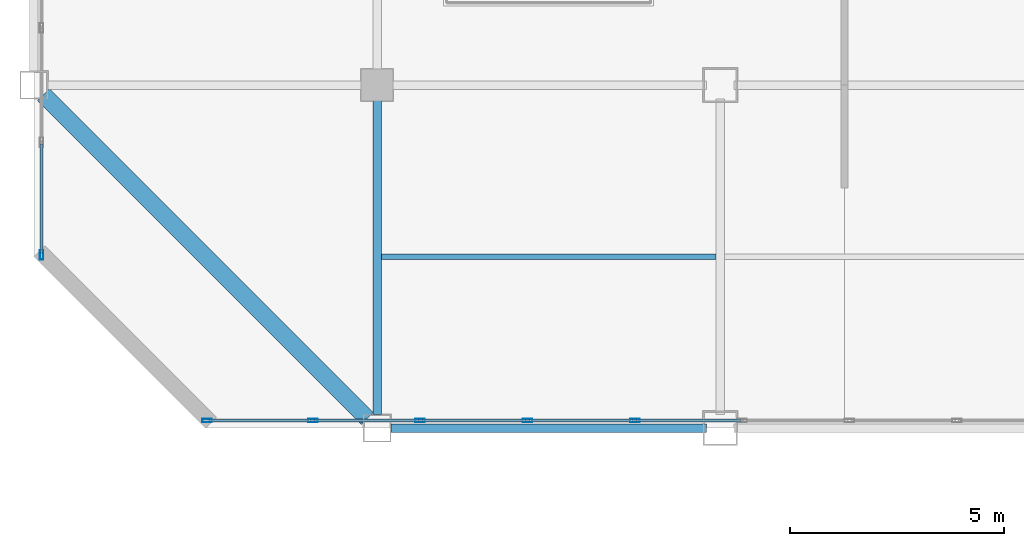
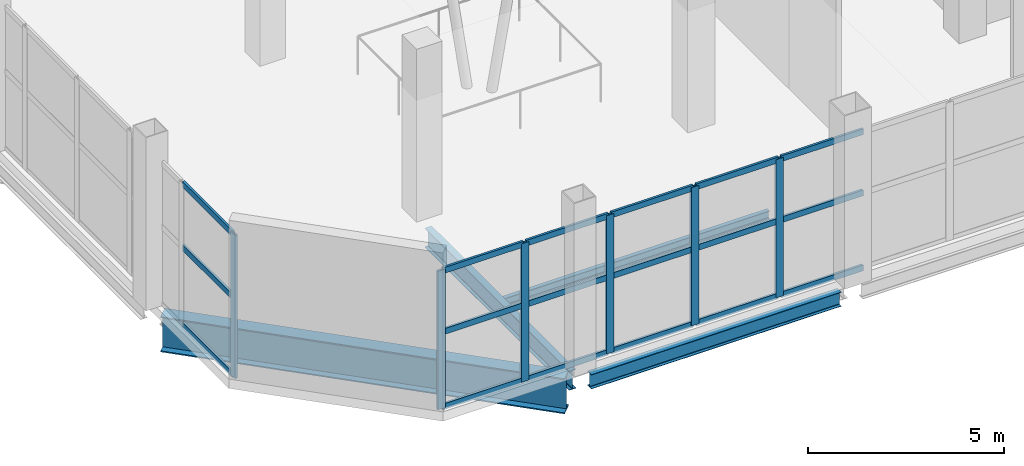
# One storey, part 2 of 16: 24 members, 4 beams, 2 elements without a shape of their own.
"""IFC4 building model written with IfcOpenShell, lengths in metres."""

from ifc_helpers import new_model, si_unit, direction, frame, origin, origin_2d, place, context, subcontext, project, spatial, hollow_rectangle, i_section, extrude, material, layer, layer_set, material_profile, profile_set, type_object, element, aggregate, save


model = new_model("IFC4")

# Units and contexts
model_context = context("Model", 3, precision=1e-05, world=origin(), true_north=direction((0.0, 1.0)))
body_context = subcontext(model_context, "Body", "Model", "MODEL_VIEW")
ifc_project = project(units=[si_unit("LENGTHUNIT", "METRE"), si_unit("AREAUNIT", "SQUARE_METRE"), si_unit("VOLUMEUNIT", "CUBIC_METRE"), si_unit("PLANEANGLEUNIT", "RADIAN"), si_unit("MASSUNIT", "GRAM", prefix="KILO")], contexts=[model_context])

# Site, building, storey
site_placement = place(None, origin())
site = spatial("IfcSite", under=ifc_project, at=site_placement, CompositionType="ELEMENT")
building_placement = place(site_placement, origin())
building = spatial("IfcBuilding", under=site, at=building_placement, Name="Qianrong Seaharbour Tower", CompositionType="ELEMENT")
storey_placement = place(building_placement, frame((0.0, 0.0, 378.39990234375)))
storey = spatial("IfcBuildingStorey", under=building, at=storey_placement, Name="L91", CompositionType="ELEMENT", Elevation=378.39990234375)

# Beams
ifc_material_1 = material(Name="Structural steel SN490B", Category="steel")
ifc_material_profile_1 = material_profile(ifc_material_1, i_section(OverallWidth=0.199951171875, OverallDepth=0.60009765625, WebThickness=0.010986328125, FlangeThickness=0.01708984375, FilletRadius=0.02197265625, at=origin_2d()), Name="H600x200x11x17")
ifc_profile_set_1 = profile_set([ifc_material_profile_1], Name="Structural steel SN490B")
beam_type_1 = type_object("IfcBeamType", Name="BM-G-600", PredefinedType="BEAM", material=ifc_profile_set_1)
beam_1_placement = place(storey_placement, frame((24.5, 28.320068359375, -0.58984375), z_axis=(0.0, 1.0, 0.0), x_axis=(-1.0, 0.0, 0.0)))
element("IfcBeam", 1, at=beam_1_placement, inside=storey, type_object=beam_type_1, Name="L91 Primary Girder G4 GE-GF", PredefinedType="BEAM", context=body_context, shape_type="SweptSolid", body=[
    extrude(i_section(OverallWidth=0.199951171875, OverallDepth=0.60009765625, WebThickness=0.010986328125, FlangeThickness=0.01708984375, FilletRadius=0.02197265625, at=origin_2d()), origin(), (0.0, 0.0, 1.0), 7.35986328125),
])
ifc_material_2 = material(Name="Structural steel SN400B", Category="steel")
ifc_material_profile_2 = material_profile(ifc_material_2, i_section(OverallWidth=0.125, OverallDepth=0.25, WebThickness=0.006103515625, FlangeThickness=0.009033203125, FilletRadius=0.011962890625, at=origin_2d()), Name="H250x125x6x9")
ifc_profile_set_2 = profile_set([ifc_material_profile_2], Name="Structural steel SN400B")
beam_type_2 = type_object("IfcBeamType", Name="BM-J-250", PredefinedType="JOIST", material=ifc_profile_set_2)
beam_2_placement = place(storey_placement, frame((24.60009765625, 32.0, -0.414794921875), z_axis=(1.0, 0.0, 0.0), x_axis=(0.0, 1.0, 0.0)))
element("IfcBeam", 2, at=beam_2_placement, inside=storey, type_object=beam_type_2, Name="L91 Composite Floor Joist G4-G5/GE-GF", PredefinedType="JOIST", context=body_context, shape_type="SweptSolid", body=[
    extrude(i_section(OverallWidth=0.125, OverallDepth=0.25, WebThickness=0.006103515625, FlangeThickness=0.009033203125, FilletRadius=0.011962890625, at=origin_2d()), origin(), (0.0, 0.0, 1.0), 7.7998046875),
])
ifc_material_profile_3 = material_profile(ifc_material_2, i_section(OverallWidth=0.199951171875, OverallDepth=0.449951171875, WebThickness=0.009033203125, FlangeThickness=0.013916015625, FilletRadius=0.01806640625, at=origin_2d()), Name="H450x200x9x14")
ifc_profile_set_3 = profile_set([ifc_material_profile_3], Name="Structural steel SN400B")
beam_type_3 = type_object("IfcBeamType", Name="BM-SP-450", PredefinedType="SPANDREL", material=ifc_profile_set_3)
beam_3_placement = place(storey_placement, frame((24.820068359375, 28.0, -0.514892578125), z_axis=(1.0, 0.0, 0.0), x_axis=(0.0, 1.0, 0.0)))
element("IfcBeam", 3, at=beam_3_placement, inside=storey, type_object=beam_type_3, Name="L91 Spandrel Girder GE G4-G5", PredefinedType="SPANDREL", context=body_context, shape_type="SweptSolid", body=[
    extrude(i_section(OverallWidth=0.199951171875, OverallDepth=0.449951171875, WebThickness=0.009033203125, FlangeThickness=0.013916015625, FilletRadius=0.01806640625, at=origin_2d()), origin(), (0.0, 0.0, 1.0), 7.35986328125),
])
ifc_material_profile_4 = material_profile(ifc_material_1, i_section(OverallWidth=0.39990234375, OverallDepth=1.10009765625, WebThickness=0.02001953125, FlangeThickness=0.035888671875, at=origin_2d()), Name="BH1100x400x20x36")
ifc_profile_set_4 = profile_set([ifc_material_profile_4], Name="Structural steel SN490B")
beam_type_4 = type_object("IfcBeamType", Name="BM-TG-1100", PredefinedType="BEAM", material=ifc_profile_set_4)
beam_4_placement = place(storey_placement, frame((24.273681640625, 28.226318359375, -0.83984375), z_axis=(-0.707106781187, 0.707106781187, 0.0), x_axis=(-0.707106781187, -0.707106781187, 0.0)))
element("IfcBeam", 4, at=beam_4_placement, inside=storey, type_object=beam_type_4, Name="L91 Chamfer Corner Spandrel Girder G3/GE", PredefinedType="BEAM", context=body_context, shape_type="SweptSolid", body=[
    extrude(i_section(OverallWidth=0.39990234375, OverallDepth=1.10009765625, WebThickness=0.02001953125, FlangeThickness=0.035888671875, at=origin_2d()), origin(), (0.0, 0.0, 1.0), 10.673583984375),
])

# Curtain wall, members
ifc_material_3 = material(Name="Anodised aluminium 6063-T6 and laminated low-e glass", Category="aluminium")
ifc_layer = layer(ifc_material_3, 0.239990234375)
ifc_layer_set = layer_set([ifc_layer], Name="Anodised aluminium 6063-T6 and laminated low-e glass")
curtain_wall_type = type_object("IfcCurtainWallType", Name="CW-SYS-6", PredefinedType="NOTDEFINED", material=ifc_layer_set)
curtain_wall_1_placement = place(storey_placement, origin())
curtain_wall_1 = element("IfcCurtainWall", 5, at=curtain_wall_1_placement, inside=storey, type_object=curtain_wall_type, Name="L91 TMD Exhibition Lantern Translucent Curtain Wall HARBOUR_RIBBON", PredefinedType="NOTDEFINED")
ifc_material_4 = material(Name="Extruded aluminium 6063-T6", Category="aluminium")
ifc_material_profile_5 = material_profile(ifc_material_4, hollow_rectangle(XDim=0.080078125, YDim=0.219970703125, WallThickness=0.0048828125, at=origin_2d()), Name="ALU-MUL-220x80x5")
ifc_profile_set_5 = profile_set([ifc_material_profile_5], Name="Extruded aluminium 6063-T6")
member_type_1 = type_object("IfcMemberType", Name="CW-MUL-220", PredefinedType="MULLION", material=ifc_profile_set_5)
member_1_placement = place(storey_placement, frame((30.510009765625, 28.179931640625, 0.0), z_axis=(0.0, 0.0, 1.0), x_axis=(0.0, -1.0, 0.0)))
member_1 = element("IfcMember", 6, at=member_1_placement, type_object=member_type_1, Name="CW-6 mullion 5", PredefinedType="MULLION", context=body_context, shape_type="SweptSolid", body=[
    extrude(hollow_rectangle(XDim=0.080078125, YDim=0.219970703125, WallThickness=0.0048828125, at=origin_2d()), origin(), (0.0, 0.0, 1.0), 4.31005859375),
])
member_2_placement = place(storey_placement, frame((28.007568359375, 28.179931640625, 0.0), z_axis=(0.0, 0.0, 1.0), x_axis=(0.0, -1.0, 0.0)))
member_2 = element("IfcMember", 7, at=member_2_placement, type_object=member_type_1, Name="CW-6 mullion 6", PredefinedType="MULLION", context=body_context, shape_type="SweptSolid", body=[
    extrude(hollow_rectangle(XDim=0.080078125, YDim=0.219970703125, WallThickness=0.0048828125, at=origin_2d()), origin(), (0.0, 0.0, 1.0), 4.31005859375),
])
member_3_placement = place(storey_placement, frame((25.5048828125, 28.179931640625, 0.0), z_axis=(0.0, 0.0, 1.0), x_axis=(0.0, -1.0, 0.0)))
member_3 = element("IfcMember", 8, at=member_3_placement, type_object=member_type_1, Name="CW-6 mullion 7", PredefinedType="MULLION", context=body_context, shape_type="SweptSolid", body=[
    extrude(hollow_rectangle(XDim=0.080078125, YDim=0.219970703125, WallThickness=0.0048828125, at=origin_2d()), origin(), (0.0, 0.0, 1.0), 4.31005859375),
])
member_4_placement = place(storey_placement, frame((23.00244140625, 28.179931640625, 0.0), z_axis=(0.0, 0.0, 1.0), x_axis=(0.0, -1.0, 0.0)))
member_4 = element("IfcMember", 9, at=member_4_placement, type_object=member_type_1, Name="CW-6 mullion 8", PredefinedType="MULLION", context=body_context, shape_type="SweptSolid", body=[
    extrude(hollow_rectangle(XDim=0.080078125, YDim=0.219970703125, WallThickness=0.0048828125, at=origin_2d()), origin(), (0.0, 0.0, 1.0), 4.31005859375),
])
member_5_placement = place(storey_placement, frame((20.5400390625, 28.179931640625, 0.0), z_axis=(0.0, 0.0, 1.0), x_axis=(0.0, -1.0, 0.0)))
member_5 = element("IfcMember", 10, at=member_5_placement, type_object=member_type_1, Name="CW-6 mullion 9", PredefinedType="MULLION", context=body_context, shape_type="SweptSolid", body=[
    extrude(hollow_rectangle(XDim=0.080078125, YDim=0.219970703125, WallThickness=0.0048828125, at=origin_2d()), origin(), (0.0, 0.0, 1.0), 4.31005859375),
])

# Curtain wall, member
curtain_wall_2_placement = place(storey_placement, origin())
curtain_wall_2 = element("IfcCurtainWall", 11, at=curtain_wall_2_placement, inside=storey, type_object=curtain_wall_type, Name="L91 TMD Exhibition Lantern Translucent Curtain Wall WEST_TIP", PredefinedType="NOTDEFINED")
member_6_placement = place(storey_placement, frame((16.679931640625, 32.0400390625, 0.0), z_axis=(0.0, 0.0, 1.0), x_axis=(-1.0, 0.0, 0.0)))
member_6 = element("IfcMember", 12, at=member_6_placement, type_object=member_type_1, Name="CW-6 mullion 1", PredefinedType="MULLION", context=body_context, shape_type="SweptSolid", body=[
    extrude(hollow_rectangle(XDim=0.080078125, YDim=0.219970703125, WallThickness=0.0048828125, at=origin_2d()), origin(), (0.0, 0.0, 1.0), 4.460205078125),
])

# Member
ifc_material_profile_6 = material_profile(ifc_material_4, hollow_rectangle(XDim=0.070068359375, YDim=0.179931640625, WallThickness=0.00390625, at=origin_2d()), Name="ALU-TRN-180x70x4")
ifc_profile_set_6 = profile_set([ifc_material_profile_6], Name="Extruded aluminium 6063-T6")
member_type_2 = type_object("IfcMemberType", Name="CW-TRN-180", PredefinedType="USERDEFINED", material=ifc_profile_set_6)
member_7_placement = place(storey_placement, frame((32.972412109375, 28.179931640625, 0.03515625), z_axis=(-1.0, 0.0, 0.0), x_axis=(0.0, -1.0, 0.0)))
member_7 = element("IfcMember", 13, at=member_7_placement, type_object=member_type_2, Name="CW-6 transom 4.1", ObjectType="TRANSOM", PredefinedType="USERDEFINED", context=body_context, shape_type="SweptSolid", body=[
    extrude(hollow_rectangle(XDim=0.070068359375, YDim=0.179931640625, WallThickness=0.00390625, at=origin_2d()), origin(), (0.0, 0.0, 1.0), 2.42236328125),
])

member_8_placement = place(storey_placement, frame((32.972412109375, 28.179931640625, 2.37060546875), z_axis=(-1.0, 0.0, 0.0), x_axis=(0.0, -1.0, 0.0)))
member_8 = element("IfcMember", 14, at=member_8_placement, type_object=member_type_2, Name="CW-6 transom 4.2", ObjectType="TRANSOM", PredefinedType="USERDEFINED", context=body_context, shape_type="SweptSolid", body=[
    extrude(hollow_rectangle(XDim=0.070068359375, YDim=0.179931640625, WallThickness=0.00390625, at=origin_2d()), origin(), (0.0, 0.0, 1.0), 2.42236328125),
])

member_9_placement = place(storey_placement, frame((32.972412109375, 28.179931640625, 4.275146484375), z_axis=(-1.0, 0.0, 0.0), x_axis=(0.0, -1.0, 0.0)))
member_9 = element("IfcMember", 15, at=member_9_placement, type_object=member_type_2, Name="CW-6 transom 4.3", ObjectType="TRANSOM", PredefinedType="USERDEFINED", context=body_context, shape_type="SweptSolid", body=[
    extrude(hollow_rectangle(XDim=0.070068359375, YDim=0.179931640625, WallThickness=0.00390625, at=origin_2d()), origin(), (0.0, 0.0, 1.0), 2.42236328125),
])

member_10_placement = place(storey_placement, frame((30.469970703125, 28.179931640625, 0.03515625), z_axis=(-1.0, 0.0, 0.0), x_axis=(0.0, -1.0, 0.0)))
member_10 = element("IfcMember", 16, at=member_10_placement, type_object=member_type_2, Name="CW-6 transom 5.1", ObjectType="TRANSOM", PredefinedType="USERDEFINED", context=body_context, shape_type="SweptSolid", body=[
    extrude(hollow_rectangle(XDim=0.070068359375, YDim=0.179931640625, WallThickness=0.00390625, at=origin_2d()), origin(), (0.0, 0.0, 1.0), 2.42236328125),
])

member_11_placement = place(storey_placement, frame((30.469970703125, 28.179931640625, 2.37060546875), z_axis=(-1.0, 0.0, 0.0), x_axis=(0.0, -1.0, 0.0)))
member_11 = element("IfcMember", 17, at=member_11_placement, type_object=member_type_2, Name="CW-6 transom 5.2", ObjectType="TRANSOM", PredefinedType="USERDEFINED", context=body_context, shape_type="SweptSolid", body=[
    extrude(hollow_rectangle(XDim=0.070068359375, YDim=0.179931640625, WallThickness=0.00390625, at=origin_2d()), origin(), (0.0, 0.0, 1.0), 2.42236328125),
])

member_12_placement = place(storey_placement, frame((30.469970703125, 28.179931640625, 4.275146484375), z_axis=(-1.0, 0.0, 0.0), x_axis=(0.0, -1.0, 0.0)))
member_12 = element("IfcMember", 18, at=member_12_placement, type_object=member_type_2, Name="CW-6 transom 5.3", ObjectType="TRANSOM", PredefinedType="USERDEFINED", context=body_context, shape_type="SweptSolid", body=[
    extrude(hollow_rectangle(XDim=0.070068359375, YDim=0.179931640625, WallThickness=0.00390625, at=origin_2d()), origin(), (0.0, 0.0, 1.0), 2.42236328125),
])

member_13_placement = place(storey_placement, frame((27.967529296875, 28.179931640625, 0.03515625), z_axis=(-1.0, 0.0, 0.0), x_axis=(0.0, -1.0, 0.0)))
member_13 = element("IfcMember", 19, at=member_13_placement, type_object=member_type_2, Name="CW-6 transom 6.1", ObjectType="TRANSOM", PredefinedType="USERDEFINED", context=body_context, shape_type="SweptSolid", body=[
    extrude(hollow_rectangle(XDim=0.070068359375, YDim=0.179931640625, WallThickness=0.00390625, at=origin_2d()), origin(), (0.0, 0.0, 1.0), 2.422607421875),
])

member_14_placement = place(storey_placement, frame((27.967529296875, 28.179931640625, 2.37060546875), z_axis=(-1.0, 0.0, 0.0), x_axis=(0.0, -1.0, 0.0)))
member_14 = element("IfcMember", 20, at=member_14_placement, type_object=member_type_2, Name="CW-6 transom 6.2", ObjectType="TRANSOM", PredefinedType="USERDEFINED", context=body_context, shape_type="SweptSolid", body=[
    extrude(hollow_rectangle(XDim=0.070068359375, YDim=0.179931640625, WallThickness=0.00390625, at=origin_2d()), origin(), (0.0, 0.0, 1.0), 2.422607421875),
])

member_15_placement = place(storey_placement, frame((27.967529296875, 28.179931640625, 4.275146484375), z_axis=(-1.0, 0.0, 0.0), x_axis=(0.0, -1.0, 0.0)))
member_15 = element("IfcMember", 21, at=member_15_placement, type_object=member_type_2, Name="CW-6 transom 6.3", ObjectType="TRANSOM", PredefinedType="USERDEFINED", context=body_context, shape_type="SweptSolid", body=[
    extrude(hollow_rectangle(XDim=0.070068359375, YDim=0.179931640625, WallThickness=0.00390625, at=origin_2d()), origin(), (0.0, 0.0, 1.0), 2.422607421875),
])

member_16_placement = place(storey_placement, frame((25.465087890625, 28.179931640625, 0.03515625), z_axis=(-1.0, 0.0, 0.0), x_axis=(0.0, -1.0, 0.0)))
member_16 = element("IfcMember", 22, at=member_16_placement, type_object=member_type_2, Name="CW-6 transom 7.1", ObjectType="TRANSOM", PredefinedType="USERDEFINED", context=body_context, shape_type="SweptSolid", body=[
    extrude(hollow_rectangle(XDim=0.070068359375, YDim=0.179931640625, WallThickness=0.00390625, at=origin_2d()), origin(), (0.0, 0.0, 1.0), 2.422607421875),
])

member_17_placement = place(storey_placement, frame((25.465087890625, 28.179931640625, 2.37060546875), z_axis=(-1.0, 0.0, 0.0), x_axis=(0.0, -1.0, 0.0)))
member_17 = element("IfcMember", 23, at=member_17_placement, type_object=member_type_2, Name="CW-6 transom 7.2", ObjectType="TRANSOM", PredefinedType="USERDEFINED", context=body_context, shape_type="SweptSolid", body=[
    extrude(hollow_rectangle(XDim=0.070068359375, YDim=0.179931640625, WallThickness=0.00390625, at=origin_2d()), origin(), (0.0, 0.0, 1.0), 2.422607421875),
])

member_18_placement = place(storey_placement, frame((25.465087890625, 28.179931640625, 4.275146484375), z_axis=(-1.0, 0.0, 0.0), x_axis=(0.0, -1.0, 0.0)))
member_18 = element("IfcMember", 24, at=member_18_placement, type_object=member_type_2, Name="CW-6 transom 7.3", ObjectType="TRANSOM", PredefinedType="USERDEFINED", context=body_context, shape_type="SweptSolid", body=[
    extrude(hollow_rectangle(XDim=0.070068359375, YDim=0.179931640625, WallThickness=0.00390625, at=origin_2d()), origin(), (0.0, 0.0, 1.0), 2.422607421875),
])

member_19_placement = place(storey_placement, frame((22.96240234375, 28.179931640625, 0.03515625), z_axis=(-1.0, 0.0, 0.0), x_axis=(0.0, -1.0, 0.0)))
member_19 = element("IfcMember", 25, at=member_19_placement, type_object=member_type_2, Name="CW-6 transom 8.1", ObjectType="TRANSOM", PredefinedType="USERDEFINED", context=body_context, shape_type="SweptSolid", body=[
    extrude(hollow_rectangle(XDim=0.070068359375, YDim=0.179931640625, WallThickness=0.00390625, at=origin_2d()), origin(), (0.0, 0.0, 1.0), 2.38232421875),
])

member_20_placement = place(storey_placement, frame((22.96240234375, 28.179931640625, 2.37060546875), z_axis=(-1.0, 0.0, 0.0), x_axis=(0.0, -1.0, 0.0)))
member_20 = element("IfcMember", 26, at=member_20_placement, type_object=member_type_2, Name="CW-6 transom 8.2", ObjectType="TRANSOM", PredefinedType="USERDEFINED", context=body_context, shape_type="SweptSolid", body=[
    extrude(hollow_rectangle(XDim=0.070068359375, YDim=0.179931640625, WallThickness=0.00390625, at=origin_2d()), origin(), (0.0, 0.0, 1.0), 2.38232421875),
])

member_21_placement = place(storey_placement, frame((22.96240234375, 28.179931640625, 4.275146484375), z_axis=(-1.0, 0.0, 0.0), x_axis=(0.0, -1.0, 0.0)))
member_21 = element("IfcMember", 27, at=member_21_placement, type_object=member_type_2, Name="CW-6 transom 8.3", ObjectType="TRANSOM", PredefinedType="USERDEFINED", context=body_context, shape_type="SweptSolid", body=[
    extrude(hollow_rectangle(XDim=0.070068359375, YDim=0.179931640625, WallThickness=0.00390625, at=origin_2d()), origin(), (0.0, 0.0, 1.0), 2.38232421875),
])

aggregate(curtain_wall_1, [member_1, member_2, member_3, member_4, member_5, member_7, member_8, member_9, member_10, member_11, member_12, member_13, member_14, member_15, member_16, member_17, member_18, member_19, member_20, member_21])

member_22_placement = place(storey_placement, frame((16.679931640625, 32.080078125, 0.03515625), z_axis=(0.0, 1.0, 0.0), x_axis=(-1.0, 0.0, 0.0)))
member_22 = element("IfcMember", 28, at=member_22_placement, type_object=member_type_2, Name="CW-6 transom 1.1", ObjectType="TRANSOM", PredefinedType="USERDEFINED", context=body_context, shape_type="SweptSolid", body=[
    extrude(hollow_rectangle(XDim=0.070068359375, YDim=0.179931640625, WallThickness=0.00390625, at=origin_2d()), origin(), (0.0, 0.0, 1.0), 2.546630859375),
])

member_23_placement = place(storey_placement, frame((16.679931640625, 32.080078125, 2.453125), z_axis=(0.0, 1.0, 0.0), x_axis=(-1.0, 0.0, 0.0)))
member_23 = element("IfcMember", 29, at=member_23_placement, type_object=member_type_2, Name="CW-6 transom 1.2", ObjectType="TRANSOM", PredefinedType="USERDEFINED", context=body_context, shape_type="SweptSolid", body=[
    extrude(hollow_rectangle(XDim=0.070068359375, YDim=0.179931640625, WallThickness=0.00390625, at=origin_2d()), origin(), (0.0, 0.0, 1.0), 2.546630859375),
])

member_24_placement = place(storey_placement, frame((16.679931640625, 32.080078125, 4.425048828125), z_axis=(0.0, 1.0, 0.0), x_axis=(-1.0, 0.0, 0.0)))
member_24 = element("IfcMember", 30, at=member_24_placement, type_object=member_type_2, Name="CW-6 transom 1.3", ObjectType="TRANSOM", PredefinedType="USERDEFINED", context=body_context, shape_type="SweptSolid", body=[
    extrude(hollow_rectangle(XDim=0.070068359375, YDim=0.179931640625, WallThickness=0.00390625, at=origin_2d()), origin(), (0.0, 0.0, 1.0), 2.546630859375),
])

aggregate(curtain_wall_2, [member_6, member_22, member_23, member_24])

save(model, "model.ifc")
